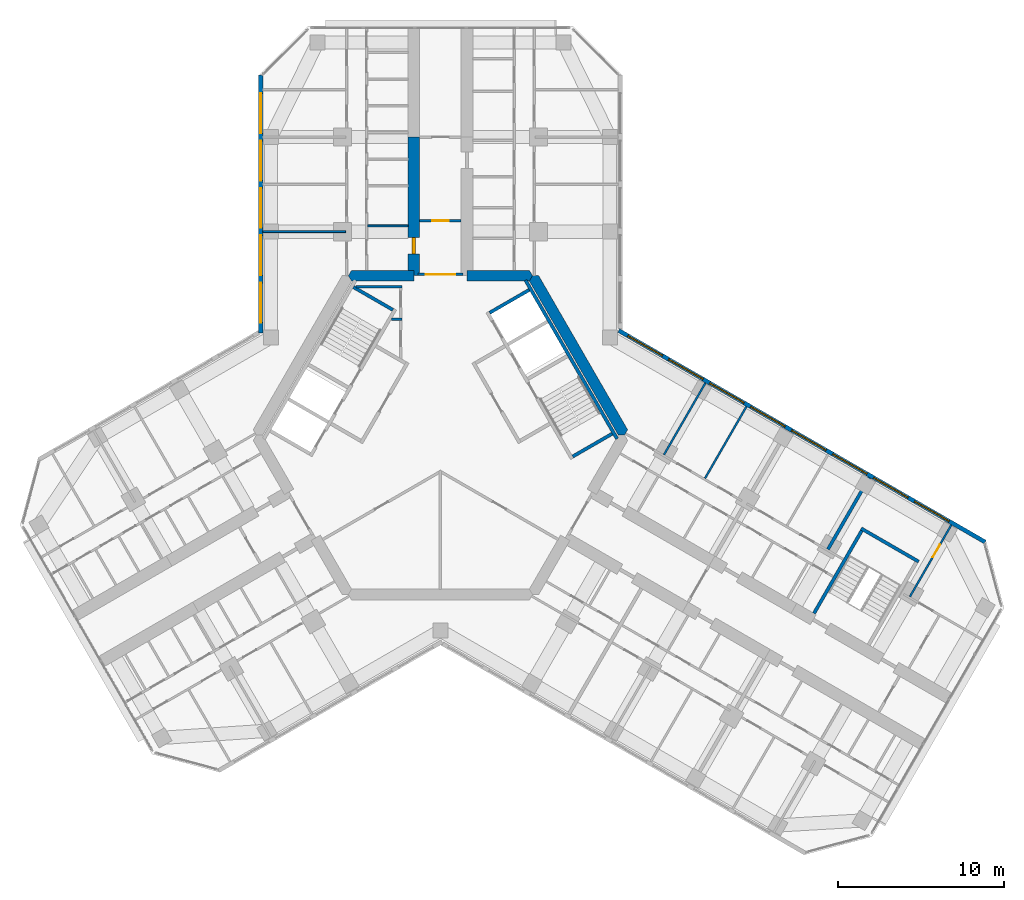
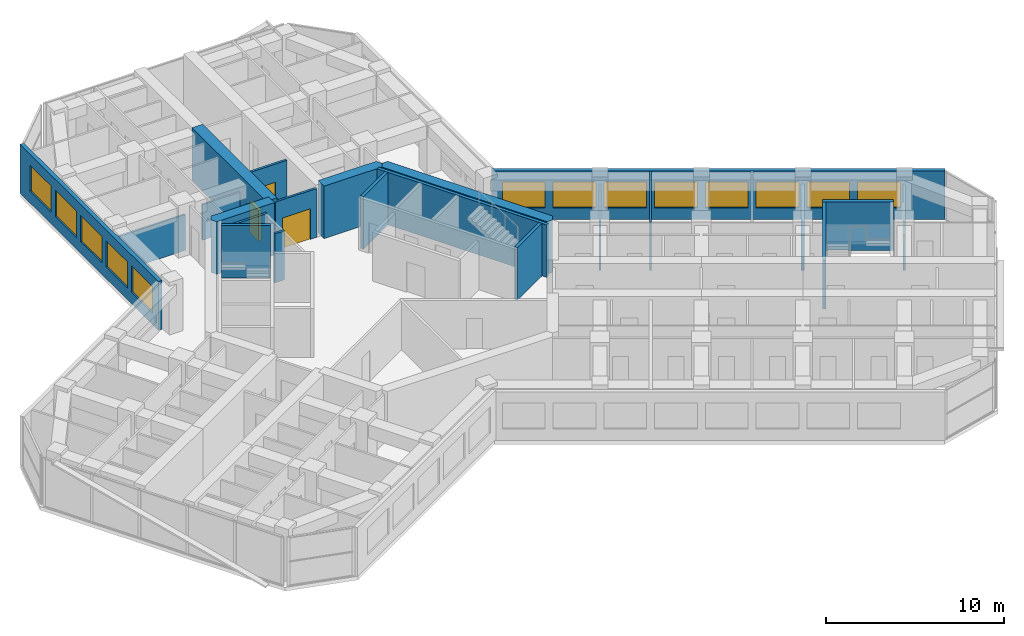
# One storey, part 13 of 16: 22 walls, 13 windows, 4 doors, 17 openings.
"""IFC4 building model written with IfcOpenShell, lengths in metres."""

from ifc_helpers import new_model, si_unit, direction, frame, frame_2d, origin, place, context, subcontext, project, spatial, polyline, rectangle, outline, extrude, material, layer, layer_set, type_object, element, fill, save


model = new_model("IFC4")

# Units and contexts
model_context = context("Model", 3, precision=1e-05, world=origin(), true_north=direction((0.0, 1.0)))
body_context = subcontext(model_context, "Body", "Model", "MODEL_VIEW")
ifc_project = project(units=[si_unit("LENGTHUNIT", "METRE"), si_unit("AREAUNIT", "SQUARE_METRE"), si_unit("VOLUMEUNIT", "CUBIC_METRE"), si_unit("PLANEANGLEUNIT", "RADIAN"), si_unit("MASSUNIT", "GRAM", prefix="KILO")], contexts=[model_context])

# Site, building, storey
site_placement = place(None, origin())
site = spatial("IfcSite", under=ifc_project, at=site_placement, CompositionType="ELEMENT")
building_placement = place(site_placement, origin())
building = spatial("IfcBuilding", under=site, at=building_placement, Name="Kosmar Iwan School Tower", CompositionType="ELEMENT")
storey_placement = place(building_placement, frame((0.0, 0.0, 219.0)))
storey = spatial("IfcBuildingStorey", under=building, at=storey_placement, Name="L55", CompositionType="ELEMENT", Elevation=219.0)

# Walls
ifc_material_1 = material(Name="Gypsum board on steel studs, fire-rated", Category="steel")
ifc_layer_1 = layer(ifc_material_1, 0.14990234375)
ifc_layer_set_1 = layer_set([ifc_layer_1], Name="Core room partition 150")
wall_type_1 = type_object("IfcWallType", Name="Core room partition 150", PredefinedType="PARTITIONING", material=ifc_layer_set_1)
wall_1_placement = place(storey_placement, frame((-2.324951171875, 6.985107421875, 0.0), z_axis=(0.0, 0.0, 1.0), x_axis=(-1.0, 0.0, 0.0)))
element("IfcWall", 1, at=wall_1_placement, inside=storey, type_object=wall_type_1, Name="Core room partition L55-CW2", PredefinedType="PARTITIONING", context=body_context, shape_type="SweptSolid", body=[
    extrude(rectangle(XDim=0.623779296875, YDim=0.14990234375, at=frame_2d((0.31201171875, 0.0))), origin(), (0.0, 0.0, 1.0), 3.35009765625),
])
wall_2_placement = place(storey_placement, frame((-5.089599609375, 8.93994140625, 0.0), z_axis=(0.0, 0.0, 1.0), x_axis=(1.0, 0.0, 0.0)))
element("IfcWall", 2, at=wall_2_placement, inside=storey, type_object=wall_type_1, Name="Core room partition L55-CW3", PredefinedType="PARTITIONING", context=body_context, shape_type="SweptSolid", body=[
    extrude(rectangle(XDim=2.7646484375, YDim=0.14990234375, at=frame_2d((1.38232421875, 0.0))), origin(), (0.0, 0.0, 1.0), 3.35009765625),
])
ifc_material_2 = material(Name="Concrete C50/60", Category="concrete")
ifc_layer_2 = layer(ifc_material_2, 0.64990234375)
ifc_layer_set_2 = layer_set([ifc_layer_2], Name="Core wall 650")
wall_type_2 = type_object("IfcWallType", Name="Core wall 650", PredefinedType="SHEAR", material=ifc_layer_set_2)
wall_3_placement = place(storey_placement, origin())
element("IfcWall", 3, at=wall_3_placement, inside=storey, type_object=wall_type_2, Name="Core wall F030", PredefinedType="SHEAR", context=body_context, shape_type="SweptSolid", body=[
    extrude(outline(polyline([(10.7099609375, 0.0), (11.085205078125, 0.0), (11.272705078125, 0.324951171875), (5.917724609375, 9.60009765625), (5.54248046875, 9.60009765625), (5.35498046875, 9.27490234375), (10.7099609375, 0.0)])), origin(), (0.0, 0.0, 1.0), 3.60009765625),
])
wall_4_placement = place(storey_placement, origin())
element("IfcWall", 4, at=wall_4_placement, inside=storey, type_object=wall_type_2, Name="Core wall F090a", PredefinedType="SHEAR", context=body_context, shape_type="SweptSolid", body=[
    extrude(outline(polyline([(1.60009765625, 9.27490234375), (5.35498046875, 9.27490234375), (5.54248046875, 9.60009765625), (5.35498046875, 9.925048828125), (1.60009765625, 9.925048828125), (1.60009765625, 9.27490234375)])), origin(), (0.0, 0.0, 1.0), 3.60009765625),
])
wall_5_placement = place(storey_placement, origin())
element("IfcWall", 5, at=wall_5_placement, inside=storey, type_object=wall_type_2, Name="Core wall F090b", PredefinedType="SHEAR", context=body_context, shape_type="SweptSolid", body=[
    extrude(outline(polyline([(-5.35498046875, 9.27490234375), (-1.60009765625, 9.27490234375), (-1.60009765625, 9.925048828125), (-5.35498046875, 9.925048828125), (-5.54248046875, 9.60009765625), (-5.35498046875, 9.27490234375)])), origin(), (0.0, 0.0, 1.0), 3.60009765625),
])

# Wall, opening, door
ifc_material_3 = material(Name="Concrete C50/60", Category="concrete")
ifc_layer_3 = layer(ifc_material_3, 0.699951171875)
ifc_layer_set_3 = layer_set([ifc_layer_3], Name="Corridor buttress wall 700")
wall_type_3 = type_object("IfcWallType", Name="Corridor buttress wall 700", PredefinedType="SHEAR", material=ifc_layer_set_3)
wall_6_placement = place(storey_placement, frame((-1.60009765625, 9.60009765625, 0.0), z_axis=(0.0, 0.0, 1.0), x_axis=(0.0, 1.0, 0.0)))
wall_6 = element("IfcWall", 6, at=wall_6_placement, inside=storey, type_object=wall_type_3, Name="Corridor wall AL", PredefinedType="SHEAR", context=body_context, shape_type="SweptSolid", body=[
    extrude(rectangle(XDim=8.349853515625, YDim=0.699951171875, at=frame_2d((4.1748046875, 0.0))), origin(), (0.0, 0.0, 1.0), 3.60009765625),
])
opening_1_placement = place(wall_6_placement, frame((1.300048828125, 0.0, 0.0)))
opening_1 = element("IfcOpeningElement", 7, at=opening_1_placement, cuts=wall_6, Name="Opening D1", PredefinedType="OPENING", context=body_context, shape_type="SweptSolid", body=[
    extrude(rectangle(XDim=1.0, YDim=2.10009765625, at=frame_2d((0.5, 1.050048828125))), frame((0.0, 0.362060546875, 0.0), z_axis=(0.0, -1.0, 0.0), x_axis=(1.0, 0.0, 0.0)), (0.0, 0.0, 1.0), 0.723876953125),
])
ifc_material_4 = material(Name="Timber fire door in steel frame", Category="steel")
door_type_1 = type_object("IfcDoorType", Name="Flat entrance door 1000x2100", OperationType="SINGLE_SWING_LEFT", PredefinedType="DOOR", material=ifc_material_4)
door_1_placement = place(opening_1_placement, origin())
door_1 = element("IfcDoor", 8, at=door_1_placement, inside=storey, type_object=door_type_1, Name="Flat L55-AL1 entrance door", OperationType="SINGLE_SWING_RIGHT", OverallHeight=2.10009765625, OverallWidth=1.0, PredefinedType="DOOR", context=body_context, shape_type="SweptSolid", body=[
    extrude(rectangle(XDim=1.0, YDim=2.10009765625, at=frame_2d((0.5, 1.050048828125))), frame((0.0, 0.10009765625, 0.0), z_axis=(0.0, -1.0, 0.0), x_axis=(1.0, 0.0, 0.0)), (0.0, 0.0, 1.0), 0.199951171875),
])
fill(opening_1, door_1)

ifc_material_5 = material(Name="Gypsum board on steel studs, fire-rated", Category="steel")
ifc_layer_4 = layer(ifc_material_5, 0.14990234375)
ifc_layer_set_4 = layer_set([ifc_layer_4], Name="Corridor end wall 150")
wall_type_4 = type_object("IfcWallType", Name="Corridor end wall 150", PredefinedType="PARTITIONING", material=ifc_layer_set_4)
wall_7_placement = place(storey_placement, frame((1.25, 12.89990234375, 0.0), z_axis=(0.0, 0.0, 1.0), x_axis=(-1.0, 0.0, 0.0)))
wall_7 = element("IfcWall", 9, at=wall_7_placement, inside=storey, type_object=wall_type_4, Name="Partition L55-A-HW", PredefinedType="PARTITIONING", context=body_context, shape_type="SweptSolid", body=[
    extrude(rectangle(XDim=2.5, YDim=0.14990234375, at=frame_2d((1.25, 0.0))), origin(), (0.0, 0.0, 1.0), 3.35009765625),
])
opening_2_placement = place(wall_7_placement, frame((0.75, 0.0, 0.0)))
opening_2 = element("IfcOpeningElement", 10, at=opening_2_placement, cuts=wall_7, Name="Opening D13", PredefinedType="OPENING", context=body_context, shape_type="SweptSolid", body=[
    extrude(rectangle(XDim=1.0, YDim=2.10009765625, at=frame_2d((0.5, 1.050048828125))), frame((0.0, 0.0869140625, 0.0), z_axis=(0.0, -1.0, 0.0), x_axis=(1.0, 0.0, 0.0)), (0.0, 0.0, 1.0), 0.173828125),
])
ifc_material_6 = material(Name="Timber fire door with vision panel", Category="wood")
door_type_2 = type_object("IfcDoorType", Name="Corridor end door 1000x2100", OperationType="SINGLE_SWING_LEFT", PredefinedType="DOOR", material=ifc_material_6)
door_2_placement = place(opening_2_placement, origin())
door_2 = element("IfcDoor", 11, at=door_2_placement, inside=storey, type_object=door_type_2, Name="Entrance door L55-A", OperationType="SINGLE_SWING_RIGHT", OverallHeight=2.10009765625, OverallWidth=1.0, PredefinedType="DOOR", context=body_context, shape_type="SweptSolid", body=[
    extrude(rectangle(XDim=1.0, YDim=2.10009765625, at=frame_2d((0.5, 1.050048828125))), frame((0.0, 0.02490234375, 0.0), z_axis=(0.0, -1.0, 0.0), x_axis=(1.0, 0.0, 0.0)), (0.0, 0.0, 1.0), 0.050048828125),
])
fill(opening_2, door_2)

ifc_material_7 = material(Name="Steel framed glazed screen", Category="steel")
ifc_layer_5 = layer(ifc_material_7, 0.14990234375)
ifc_layer_set_5 = layer_set([ifc_layer_5], Name="Corridor screen wall 150")
wall_type_5 = type_object("IfcWallType", Name="Corridor screen wall 150", PredefinedType="PARTITIONING", material=ifc_layer_set_5)
wall_8_placement = place(storey_placement, frame((1.35009765625, 9.675048828125, 0.0), z_axis=(0.0, 0.0, 1.0), x_axis=(-1.0, 0.0, 0.0)))
wall_8 = element("IfcWall", 12, at=wall_8_placement, inside=storey, type_object=wall_type_5, Name="Corridor screen A L55", PredefinedType="PARTITIONING", context=body_context, shape_type="SweptSolid", body=[
    extrude(rectangle(XDim=2.7001953125, YDim=0.14990234375, at=frame_2d((1.35009765625, 0.0))), origin(), (0.0, 0.0, 1.0), 3.35009765625),
])
opening_3_placement = place(wall_8_placement, frame((0.449951171875, 0.0, 0.0)))
opening_3 = element("IfcOpeningElement", 13, at=opening_3_placement, cuts=wall_8, Name="Opening D9", PredefinedType="OPENING", context=body_context, shape_type="SweptSolid", body=[
    extrude(rectangle(XDim=1.800048828125, YDim=2.10009765625, at=frame_2d((0.89990234375, 1.050048828125))), frame((0.0, 0.0869140625, 0.0), z_axis=(0.0, -1.0, 0.0), x_axis=(1.0, 0.0, 0.0)), (0.0, 0.0, 1.0), 0.173828125),
])
ifc_material_8 = material(Name="Steel framed glazed smoke door", Category="steel")
door_type_3 = type_object("IfcDoorType", Name="Corridor smoke door pair 1800x2100", OperationType="DOUBLE_DOOR_DOUBLE_SWING", PredefinedType="DOOR", material=ifc_material_8)
door_3_placement = place(opening_3_placement, origin())
door_3 = element("IfcDoor", 14, at=door_3_placement, inside=storey, type_object=door_type_3, Name="Corridor doors A L55", OperationType="DOUBLE_DOOR_DOUBLE_SWING", OverallHeight=2.10009765625, OverallWidth=1.800048828125, PredefinedType="DOOR", context=body_context, shape_type="SweptSolid", body=[
    extrude(rectangle(XDim=1.800048828125, YDim=2.10009765625, at=frame_2d((0.89990234375, 1.050048828125))), frame((0.0, 0.02490234375, 0.0), z_axis=(0.0, -1.0, 0.0), x_axis=(1.0, 0.0, 0.0)), (0.0, 0.0, 1.0), 0.050048828125),
])
fill(opening_3, door_3)

# Walls
ifc_material_9 = material(Name="Gypsum board on steel studs", Category="steel")
ifc_layer_6 = layer(ifc_material_9, 0.1201171875)
ifc_layer_set_6 = layer_set([ifc_layer_6], Name="Dwelling partition 120")
wall_type_6 = type_object("IfcWallType", Name="Dwelling partition 120", PredefinedType="PARTITIONING", material=ifc_layer_set_6)
wall_9_placement = place(storey_placement, frame((-5.7099609375, 12.25, 0.0), z_axis=(0.0, 0.0, 1.0), x_axis=(-1.0, 0.0, 0.0)))
element("IfcWall", 15, at=wall_9_placement, inside=storey, type_object=wall_type_6, Name="Partition L55-AL1-X1", PredefinedType="PARTITIONING", context=body_context, shape_type="SweptSolid", body=[
    extrude(rectangle(XDim=4.989990234375, YDim=0.1201171875, at=frame_2d((2.4951171875, 0.0))), origin(), (0.0, 0.0, 1.0), 2.449951171875),
])
wall_10_placement = place(storey_placement, frame((-1.949951171875, 12.60009765625, 0.0), z_axis=(0.0, 0.0, 1.0), x_axis=(-1.0, 0.0, 0.0)))
element("IfcWall", 16, at=wall_10_placement, inside=storey, type_object=wall_type_6, Name="Partition L55-AL1-Y1", PredefinedType="PARTITIONING", context=body_context, shape_type="SweptSolid", body=[
    extrude(rectangle(XDim=2.43994140625, YDim=0.1201171875, at=frame_2d((1.219970703125, 0.0))), origin(), (0.0, 0.0, 1.0), 2.449951171875),
])
wall_11_placement = place(storey_placement, frame((13.4638671875, -1.179931640625, 0.0), z_axis=(0.0, 0.0, 1.0), x_axis=(0.499975153383, 0.86603974851, 0.0)))
element("IfcWall", 17, at=wall_11_placement, inside=storey, type_object=wall_type_6, Name="Partition L55-CL1-X1", PredefinedType="PARTITIONING", context=body_context, shape_type="SweptSolid", body=[
    extrude(rectangle(XDim=4.989990234375, YDim=0.1201171875, at=frame_2d((2.4951171875, 0.0))), origin(), (0.0, 0.0, 1.0), 2.449951171875),
])
wall_12_placement = place(storey_placement, frame((15.931884765625, -2.60498046875, 0.0), z_axis=(0.0, 0.0, 1.0), x_axis=(0.500011847778, 0.866018563358, 0.0)))
element("IfcWall", 18, at=wall_12_placement, inside=storey, type_object=wall_type_6, Name="Partition L55-CL1-X2", PredefinedType="PARTITIONING", context=body_context, shape_type="SweptSolid", body=[
    extrude(rectangle(XDim=4.990234375, YDim=0.1201171875, at=frame_2d((2.4951171875, 0.0))), origin(), (0.0, 0.0, 1.0), 3.35009765625),
])

# Wall, opening, door
wall_13_placement = place(storey_placement, frame((28.27294921875, -9.72998046875, 0.0), z_axis=(0.0, 0.0, 1.0), x_axis=(0.499975153383, 0.86603974851, 0.0)))
wall_13 = element("IfcWall", 19, at=wall_13_placement, inside=storey, type_object=wall_type_6, Name="Partition L55-CL3-TX", PredefinedType="PARTITIONING", context=body_context, shape_type="SweptSolid", body=[
    extrude(rectangle(XDim=4.989990234375, YDim=0.1201171875, at=frame_2d((2.4951171875, 0.0))), origin(), (0.0, 0.0, 1.0), 2.449951171875),
])
opening_4_placement = place(wall_13_placement, frame((2.739990234375, 0.0, 0.0)))
opening_4 = element("IfcOpeningElement", 20, at=opening_4_placement, cuts=wall_13, Name="Opening D2", PredefinedType="OPENING", context=body_context, shape_type="SweptSolid", body=[
    extrude(rectangle(XDim=0.89990234375, YDim=2.10009765625, at=frame_2d((0.449951171875, 1.050048828125))), frame((0.0, 0.072021484375, 0.0), z_axis=(0.0, -1.0, 0.0), x_axis=(1.0, 0.0, 0.0)), (0.0, 0.0, 1.0), 0.14404296875),
])
ifc_material_10 = material(Name="Timber door in timber frame", Category="wood")
door_type_4 = type_object("IfcDoorType", Name="Internal door 900x2100", OperationType="SINGLE_SWING_LEFT", PredefinedType="DOOR", material=ifc_material_10)
door_4_placement = place(opening_4_placement, origin())
door_4 = element("IfcDoor", 21, at=door_4_placement, inside=storey, type_object=door_type_4, Name="Bedroom 1 door L55-CL3-T1", OperationType="SINGLE_SWING_RIGHT", OverallHeight=2.10009765625, OverallWidth=0.89990234375, PredefinedType="DOOR", context=body_context, shape_type="SweptSolid", body=[
    extrude(rectangle(XDim=0.89990234375, YDim=2.10009765625, at=frame_2d((0.449951171875, 1.050048828125))), frame((0.0, 0.02490234375, 0.0), z_axis=(0.0, -1.0, 0.0), x_axis=(1.0, 0.0, 0.0)), (0.0, 0.0, 1.0), 0.050048828125),
])
fill(opening_4, door_4)

# Walls
ifc_material_11 = material(Name="Concrete C35/45", Category="concrete")
ifc_layer_7 = layer(ifc_material_11, 0.199951171875)
ifc_layer_set_7 = layer_set([ifc_layer_7], Name="Escape stair wall 200")
wall_type_7 = type_object("IfcWallType", Name="Escape stair wall 200", PredefinedType="SHEAR", material=ifc_layer_set_7)
wall_14_placement = place(storey_placement, frame((22.49560546875, -10.736328125, 0.0), z_axis=(0.0, 0.0, 1.0), x_axis=(0.500013701029, 0.866017493347, 0.0)))
element("IfcWall", 22, at=wall_14_placement, inside=storey, type_object=wall_type_7, Name="Stair WS3 wall", PredefinedType="SHEAR", context=body_context, shape_type="SweptSolid", body=[
    extrude(rectangle(XDim=5.949951171875, YDim=0.199951171875, at=frame_2d((2.97509765625, 0.0))), origin(), (0.0, 0.0, 1.0), 3.330078125),
])
wall_15_placement = place(storey_placement, frame((25.334228515625, -5.6201171875, 0.0), z_axis=(0.0, 0.0, 1.0), x_axis=(0.866026010844, -0.49999894854, 0.0)))
element("IfcWall", 23, at=wall_15_placement, inside=storey, type_object=wall_type_7, Name="Stair WS3 wall", PredefinedType="SHEAR", context=body_context, shape_type="SweptSolid", body=[
    extrude(rectangle(XDim=4.0, YDim=0.199951171875, at=frame_2d((2.0, 0.0))), origin(), (0.0, 0.0, 1.0), 3.330078125),
])

# Wall, openings, windows
ifc_material_12 = material(Name="Black aluminium rainscreen on insulated framing", Category="aluminium")
ifc_layer_8 = layer(ifc_material_12, 0.25)
ifc_layer_set_8 = layer_set([ifc_layer_8], Name="External wall rainscreen 250")
wall_type_8 = type_object("IfcWallType", Name="External wall rainscreen 250", PredefinedType="SOLIDWALL", material=ifc_layer_set_8)
wall_16_placement = place(storey_placement, frame((10.73681640625, 6.30078125, 0.0), z_axis=(0.0, 0.0, 1.0), x_axis=(0.866026390279, -0.499998291337, 0.0)))
wall_16 = element("IfcWall", 24, at=wall_16_placement, inside=storey, type_object=wall_type_8, Name="External wall CL L55", PredefinedType="SOLIDWALL", context=body_context, shape_type="SweptSolid", body=[
    extrude(rectangle(XDim=25.4873046875, YDim=0.25, at=frame_2d((12.74365234375, 0.0))), origin(), (0.0, 0.0, 1.0), 3.35009765625),
])
opening_5_placement = place(wall_16_placement, frame((0.626953125, 0.0, 0.800048828125)))
opening_5 = element("IfcOpeningElement", 25, at=opening_5_placement, cuts=wall_16, Name="Opening W5", PredefinedType="OPENING", context=body_context, shape_type="SweptSolid", body=[
    extrude(rectangle(XDim=2.39990234375, YDim=1.800048828125, at=frame_2d((1.199951171875, 0.89990234375))), frame((0.0, 0.136962890625, 0.0), z_axis=(0.0, -1.0, 0.0), x_axis=(1.0, 0.0, 0.0)), (0.0, 0.0, 1.0), 0.27392578125),
])
opening_6_placement = place(wall_16_placement, frame((3.47705078125, 0.0, 0.800048828125)))
opening_6 = element("IfcOpeningElement", 26, at=opening_6_placement, cuts=wall_16, Name="Opening W5", PredefinedType="OPENING", context=body_context, shape_type="SweptSolid", body=[
    extrude(rectangle(XDim=2.39990234375, YDim=1.800048828125, at=frame_2d((1.199951171875, 0.89990234375))), frame((0.0, 0.136962890625, 0.0), z_axis=(0.0, -1.0, 0.0), x_axis=(1.0, 0.0, 0.0)), (0.0, 0.0, 1.0), 0.27392578125),
])
opening_7_placement = place(wall_16_placement, frame((6.326904296875, 0.0, 0.800048828125)))
opening_7 = element("IfcOpeningElement", 27, at=opening_7_placement, cuts=wall_16, Name="Opening W5", PredefinedType="OPENING", context=body_context, shape_type="SweptSolid", body=[
    extrude(rectangle(XDim=2.39990234375, YDim=1.800048828125, at=frame_2d((1.199951171875, 0.89990234375))), frame((0.0, 0.136962890625, 0.0), z_axis=(0.0, -1.0, 0.0), x_axis=(1.0, 0.0, 0.0)), (0.0, 0.0, 1.0), 0.27392578125),
])
opening_8_placement = place(wall_16_placement, frame((9.177001953125, 0.0, 0.800048828125)))
opening_8 = element("IfcOpeningElement", 28, at=opening_8_placement, cuts=wall_16, Name="Opening W5", PredefinedType="OPENING", context=body_context, shape_type="SweptSolid", body=[
    extrude(rectangle(XDim=2.39990234375, YDim=1.800048828125, at=frame_2d((1.199951171875, 0.89990234375))), frame((0.0, 0.136962890625, 0.0), z_axis=(0.0, -1.0, 0.0), x_axis=(1.0, 0.0, 0.0)), (0.0, 0.0, 1.0), 0.27392578125),
])
opening_9_placement = place(wall_16_placement, frame((12.027099609375, 0.0, 0.800048828125)))
opening_9 = element("IfcOpeningElement", 29, at=opening_9_placement, cuts=wall_16, Name="Opening W5", PredefinedType="OPENING", context=body_context, shape_type="SweptSolid", body=[
    extrude(rectangle(XDim=2.39990234375, YDim=1.800048828125, at=frame_2d((1.199951171875, 0.89990234375))), frame((0.0, 0.136962890625, 0.0), z_axis=(0.0, -1.0, 0.0), x_axis=(1.0, 0.0, 0.0)), (0.0, 0.0, 1.0), 0.27392578125),
])
opening_10_placement = place(wall_16_placement, frame((14.876953125, 0.0, 0.800048828125)))
opening_10 = element("IfcOpeningElement", 30, at=opening_10_placement, cuts=wall_16, Name="Opening W5", PredefinedType="OPENING", context=body_context, shape_type="SweptSolid", body=[
    extrude(rectangle(XDim=2.39990234375, YDim=1.800048828125, at=frame_2d((1.199951171875, 0.89990234375))), frame((0.0, 0.136962890625, 0.0), z_axis=(0.0, -1.0, 0.0), x_axis=(1.0, 0.0, 0.0)), (0.0, 0.0, 1.0), 0.27392578125),
])
opening_11_placement = place(wall_16_placement, frame((17.72705078125, 0.0, 0.800048828125)))
opening_11 = element("IfcOpeningElement", 31, at=opening_11_placement, cuts=wall_16, Name="Opening W5", PredefinedType="OPENING", context=body_context, shape_type="SweptSolid", body=[
    extrude(rectangle(XDim=2.39990234375, YDim=1.800048828125, at=frame_2d((1.199951171875, 0.89990234375))), frame((0.0, 0.136962890625, 0.0), z_axis=(0.0, -1.0, 0.0), x_axis=(1.0, 0.0, 0.0)), (0.0, 0.0, 1.0), 0.27392578125),
])
opening_12_placement = place(wall_16_placement, frame((20.576904296875, 0.0, 0.800048828125)))
opening_12 = element("IfcOpeningElement", 32, at=opening_12_placement, cuts=wall_16, Name="Opening W5", PredefinedType="OPENING", context=body_context, shape_type="SweptSolid", body=[
    extrude(rectangle(XDim=2.39990234375, YDim=1.800048828125, at=frame_2d((1.199951171875, 0.89990234375))), frame((0.0, 0.136962890625, 0.0), z_axis=(0.0, -1.0, 0.0), x_axis=(1.0, 0.0, 0.0)), (0.0, 0.0, 1.0), 0.27392578125),
])
ifc_material_13 = material(Name="Black aluminium frame with dark triple glazing", Category="aluminium")
window_type = type_object("IfcWindowType", Name="Window 2400x1800", PartitioningType="SINGLE_PANEL", PredefinedType="WINDOW", material=ifc_material_13)
window_1_placement = place(opening_5_placement, origin())
window_1 = element("IfcWindow", 33, at=window_1_placement, inside=storey, type_object=window_type, Name="Window CL L55 -1", OverallHeight=1.800048828125, OverallWidth=2.39990234375, PartitioningType="SINGLE_PANEL", PredefinedType="WINDOW", context=body_context, shape_type="SweptSolid", body=[
    extrude(rectangle(XDim=2.39990234375, YDim=1.800048828125, at=frame_2d((1.199951171875, 0.89990234375))), frame((0.0, 0.030029296875, 0.0), z_axis=(0.0, -1.0, 0.0), x_axis=(1.0, 0.0, 0.0)), (0.0, 0.0, 1.0), 0.06005859375),
])
fill(opening_5, window_1)
window_2_placement = place(opening_6_placement, origin())
window_2 = element("IfcWindow", 34, at=window_2_placement, inside=storey, type_object=window_type, Name="Window CL L55 0", OverallHeight=1.800048828125, OverallWidth=2.39990234375, PartitioningType="SINGLE_PANEL", PredefinedType="WINDOW", context=body_context, shape_type="SweptSolid", body=[
    extrude(rectangle(XDim=2.39990234375, YDim=1.800048828125, at=frame_2d((1.199951171875, 0.89990234375))), frame((0.0, 0.030029296875, 0.0), z_axis=(0.0, -1.0, 0.0), x_axis=(1.0, 0.0, 0.0)), (0.0, 0.0, 1.0), 0.06005859375),
])
fill(opening_6, window_2)
window_3_placement = place(opening_7_placement, origin())
window_3 = element("IfcWindow", 35, at=window_3_placement, inside=storey, type_object=window_type, Name="Window CL L55 1", OverallHeight=1.800048828125, OverallWidth=2.39990234375, PartitioningType="SINGLE_PANEL", PredefinedType="WINDOW", context=body_context, shape_type="SweptSolid", body=[
    extrude(rectangle(XDim=2.39990234375, YDim=1.800048828125, at=frame_2d((1.199951171875, 0.89990234375))), frame((0.0, 0.030029296875, 0.0), z_axis=(0.0, -1.0, 0.0), x_axis=(1.0, 0.0, 0.0)), (0.0, 0.0, 1.0), 0.06005859375),
])
fill(opening_7, window_3)
window_4_placement = place(opening_8_placement, origin())
window_4 = element("IfcWindow", 36, at=window_4_placement, inside=storey, type_object=window_type, Name="Window CL L55 2", OverallHeight=1.800048828125, OverallWidth=2.39990234375, PartitioningType="SINGLE_PANEL", PredefinedType="WINDOW", context=body_context, shape_type="SweptSolid", body=[
    extrude(rectangle(XDim=2.39990234375, YDim=1.800048828125, at=frame_2d((1.199951171875, 0.89990234375))), frame((0.0, 0.030029296875, 0.0), z_axis=(0.0, -1.0, 0.0), x_axis=(1.0, 0.0, 0.0)), (0.0, 0.0, 1.0), 0.06005859375),
])
fill(opening_8, window_4)
window_5_placement = place(opening_9_placement, origin())
window_5 = element("IfcWindow", 37, at=window_5_placement, inside=storey, type_object=window_type, Name="Window CL L55 3", OverallHeight=1.800048828125, OverallWidth=2.39990234375, PartitioningType="SINGLE_PANEL", PredefinedType="WINDOW", context=body_context, shape_type="SweptSolid", body=[
    extrude(rectangle(XDim=2.39990234375, YDim=1.800048828125, at=frame_2d((1.199951171875, 0.89990234375))), frame((0.0, 0.030029296875, 0.0), z_axis=(0.0, -1.0, 0.0), x_axis=(1.0, 0.0, 0.0)), (0.0, 0.0, 1.0), 0.06005859375),
])
fill(opening_9, window_5)
window_6_placement = place(opening_10_placement, origin())
window_6 = element("IfcWindow", 38, at=window_6_placement, inside=storey, type_object=window_type, Name="Window CL L55 4", OverallHeight=1.800048828125, OverallWidth=2.39990234375, PartitioningType="SINGLE_PANEL", PredefinedType="WINDOW", context=body_context, shape_type="SweptSolid", body=[
    extrude(rectangle(XDim=2.39990234375, YDim=1.800048828125, at=frame_2d((1.199951171875, 0.89990234375))), frame((0.0, 0.030029296875, 0.0), z_axis=(0.0, -1.0, 0.0), x_axis=(1.0, 0.0, 0.0)), (0.0, 0.0, 1.0), 0.06005859375),
])
fill(opening_10, window_6)
window_7_placement = place(opening_11_placement, origin())
window_7 = element("IfcWindow", 39, at=window_7_placement, inside=storey, type_object=window_type, Name="Window CL L55 5", OverallHeight=1.800048828125, OverallWidth=2.39990234375, PartitioningType="SINGLE_PANEL", PredefinedType="WINDOW", context=body_context, shape_type="SweptSolid", body=[
    extrude(rectangle(XDim=2.39990234375, YDim=1.800048828125, at=frame_2d((1.199951171875, 0.89990234375))), frame((0.0, 0.030029296875, 0.0), z_axis=(0.0, -1.0, 0.0), x_axis=(1.0, 0.0, 0.0)), (0.0, 0.0, 1.0), 0.06005859375),
])
fill(opening_11, window_7)
window_8_placement = place(opening_12_placement, origin())
window_8 = element("IfcWindow", 40, at=window_8_placement, inside=storey, type_object=window_type, Name="Window CL L55 6", OverallHeight=1.800048828125, OverallWidth=2.39990234375, PartitioningType="SINGLE_PANEL", PredefinedType="WINDOW", context=body_context, shape_type="SweptSolid", body=[
    extrude(rectangle(XDim=2.39990234375, YDim=1.800048828125, at=frame_2d((1.199951171875, 0.89990234375))), frame((0.0, 0.030029296875, 0.0), z_axis=(0.0, -1.0, 0.0), x_axis=(1.0, 0.0, 0.0)), (0.0, 0.0, 1.0), 0.06005859375),
])
fill(opening_12, window_8)

wall_17_placement = place(storey_placement, frame((-10.824951171875, 6.14794921875, 0.0), z_axis=(0.0, 0.0, 1.0), x_axis=(0.0, 1.0, 0.0)))
wall_17 = element("IfcWall", 41, at=wall_17_placement, inside=storey, type_object=wall_type_8, Name="External wall AL L55", PredefinedType="SOLIDWALL", context=body_context, shape_type="SweptSolid", body=[
    extrude(rectangle(XDim=15.537353515625, YDim=0.25, at=frame_2d((7.7685546875, 0.0))), origin(), (0.0, 0.0, 1.0), 3.35009765625),
])
opening_13_placement = place(wall_17_placement, frame((0.626953125, 0.0, 0.800048828125)))
opening_13 = element("IfcOpeningElement", 42, at=opening_13_placement, cuts=wall_17, Name="Opening W5", PredefinedType="OPENING", context=body_context, shape_type="SweptSolid", body=[
    extrude(rectangle(XDim=2.39990234375, YDim=1.800048828125, at=frame_2d((1.199951171875, 0.89990234375))), frame((0.0, 0.136962890625, 0.0), z_axis=(0.0, -1.0, 0.0), x_axis=(1.0, 0.0, 0.0)), (0.0, 0.0, 1.0), 0.27392578125),
])
opening_14_placement = place(wall_17_placement, frame((3.47705078125, 0.0, 0.800048828125)))
opening_14 = element("IfcOpeningElement", 43, at=opening_14_placement, cuts=wall_17, Name="Opening W5", PredefinedType="OPENING", context=body_context, shape_type="SweptSolid", body=[
    extrude(rectangle(XDim=2.39990234375, YDim=1.800048828125, at=frame_2d((1.199951171875, 0.89990234375))), frame((0.0, 0.136962890625, 0.0), z_axis=(0.0, -1.0, 0.0), x_axis=(1.0, 0.0, 0.0)), (0.0, 0.0, 1.0), 0.27392578125),
])
opening_15_placement = place(wall_17_placement, frame((6.326904296875, 0.0, 0.800048828125)))
opening_15 = element("IfcOpeningElement", 44, at=opening_15_placement, cuts=wall_17, Name="Opening W5", PredefinedType="OPENING", context=body_context, shape_type="SweptSolid", body=[
    extrude(rectangle(XDim=2.39990234375, YDim=1.800048828125, at=frame_2d((1.199951171875, 0.89990234375))), frame((0.0, 0.136962890625, 0.0), z_axis=(0.0, -1.0, 0.0), x_axis=(1.0, 0.0, 0.0)), (0.0, 0.0, 1.0), 0.27392578125),
])
opening_16_placement = place(wall_17_placement, frame((9.177001953125, 0.0, 0.800048828125)))
opening_16 = element("IfcOpeningElement", 45, at=opening_16_placement, cuts=wall_17, Name="Opening W5", PredefinedType="OPENING", context=body_context, shape_type="SweptSolid", body=[
    extrude(rectangle(XDim=2.39990234375, YDim=1.800048828125, at=frame_2d((1.199951171875, 0.89990234375))), frame((0.0, 0.136962890625, 0.0), z_axis=(0.0, -1.0, 0.0), x_axis=(1.0, 0.0, 0.0)), (0.0, 0.0, 1.0), 0.27392578125),
])
opening_17_placement = place(wall_17_placement, frame((12.027099609375, 0.0, 0.800048828125)))
opening_17 = element("IfcOpeningElement", 46, at=opening_17_placement, cuts=wall_17, Name="Opening W5", PredefinedType="OPENING", context=body_context, shape_type="SweptSolid", body=[
    extrude(rectangle(XDim=2.39990234375, YDim=1.800048828125, at=frame_2d((1.199951171875, 0.89990234375))), frame((0.0, 0.136962890625, 0.0), z_axis=(0.0, -1.0, 0.0), x_axis=(1.0, 0.0, 0.0)), (0.0, 0.0, 1.0), 0.27392578125),
])
window_9_placement = place(opening_13_placement, origin())
window_9 = element("IfcWindow", 47, at=window_9_placement, inside=storey, type_object=window_type, Name="Window AL L55 -1", OverallHeight=1.800048828125, OverallWidth=2.39990234375, PartitioningType="SINGLE_PANEL", PredefinedType="WINDOW", context=body_context, shape_type="SweptSolid", body=[
    extrude(rectangle(XDim=2.39990234375, YDim=1.800048828125, at=frame_2d((1.199951171875, 0.89990234375))), frame((0.0, 0.030029296875, 0.0), z_axis=(0.0, -1.0, 0.0), x_axis=(1.0, 0.0, 0.0)), (0.0, 0.0, 1.0), 0.06005859375),
])
fill(opening_13, window_9)
window_10_placement = place(opening_14_placement, origin())
window_10 = element("IfcWindow", 48, at=window_10_placement, inside=storey, type_object=window_type, Name="Window AL L55 0", OverallHeight=1.800048828125, OverallWidth=2.39990234375, PartitioningType="SINGLE_PANEL", PredefinedType="WINDOW", context=body_context, shape_type="SweptSolid", body=[
    extrude(rectangle(XDim=2.39990234375, YDim=1.800048828125, at=frame_2d((1.199951171875, 0.89990234375))), frame((0.0, 0.030029296875, 0.0), z_axis=(0.0, -1.0, 0.0), x_axis=(1.0, 0.0, 0.0)), (0.0, 0.0, 1.0), 0.06005859375),
])
fill(opening_14, window_10)
window_11_placement = place(opening_15_placement, origin())
window_11 = element("IfcWindow", 49, at=window_11_placement, inside=storey, type_object=window_type, Name="Window AL L55 1", OverallHeight=1.800048828125, OverallWidth=2.39990234375, PartitioningType="SINGLE_PANEL", PredefinedType="WINDOW", context=body_context, shape_type="SweptSolid", body=[
    extrude(rectangle(XDim=2.39990234375, YDim=1.800048828125, at=frame_2d((1.199951171875, 0.89990234375))), frame((0.0, 0.030029296875, 0.0), z_axis=(0.0, -1.0, 0.0), x_axis=(1.0, 0.0, 0.0)), (0.0, 0.0, 1.0), 0.06005859375),
])
fill(opening_15, window_11)
window_12_placement = place(opening_16_placement, origin())
window_12 = element("IfcWindow", 50, at=window_12_placement, inside=storey, type_object=window_type, Name="Window AL L55 2", OverallHeight=1.800048828125, OverallWidth=2.39990234375, PartitioningType="SINGLE_PANEL", PredefinedType="WINDOW", context=body_context, shape_type="SweptSolid", body=[
    extrude(rectangle(XDim=2.39990234375, YDim=1.800048828125, at=frame_2d((1.199951171875, 0.89990234375))), frame((0.0, 0.030029296875, 0.0), z_axis=(0.0, -1.0, 0.0), x_axis=(1.0, 0.0, 0.0)), (0.0, 0.0, 1.0), 0.06005859375),
])
fill(opening_16, window_12)
window_13_placement = place(opening_17_placement, origin())
window_13 = element("IfcWindow", 51, at=window_13_placement, inside=storey, type_object=window_type, Name="Window AL L55 3", OverallHeight=1.800048828125, OverallWidth=2.39990234375, PartitioningType="SINGLE_PANEL", PredefinedType="WINDOW", context=body_context, shape_type="SweptSolid", body=[
    extrude(rectangle(XDim=2.39990234375, YDim=1.800048828125, at=frame_2d((1.199951171875, 0.89990234375))), frame((0.0, 0.030029296875, 0.0), z_axis=(0.0, -1.0, 0.0), x_axis=(1.0, 0.0, 0.0)), (0.0, 0.0, 1.0), 0.06005859375),
])
fill(opening_17, window_13)

# Walls
ifc_material_14 = material(Name="Concrete C50/60", Category="concrete")
ifc_layer_9 = layer(ifc_material_14, 0.199951171875)
ifc_layer_set_9 = layer_set([ifc_layer_9], Name="Lift shaft wall 200")
wall_type_9 = type_object("IfcWallType", Name="Lift shaft wall 200", PredefinedType="SHEAR", material=ifc_layer_set_9)
wall_18_placement = place(storey_placement, frame((10.6376953125, -0.22509765625, 0.0), z_axis=(0.0, 0.0, 1.0), x_axis=(-0.49999650507, 0.866027421574, 0.0)))
element("IfcWall", 52, at=wall_18_placement, inside=storey, type_object=wall_type_9, Name="Lift and stair back wall AC", PredefinedType="SHEAR", context=body_context, shape_type="SweptSolid", body=[
    extrude(rectangle(XDim=11.02734375, YDim=0.199951171875, at=frame_2d((5.513671875, 0.0))), origin(), (0.0, 0.0, 1.0), 3.60009765625),
])
wall_19_placement = place(storey_placement, frame((2.962646484375, 7.368408203125, 0.0), z_axis=(0.0, 0.0, 1.0), x_axis=(0.866027397988, 0.499996545922, 0.0)))
element("IfcWall", 53, at=wall_19_placement, inside=storey, type_object=wall_type_9, Name="Lift shaft wall AC 2", PredefinedType="SHEAR", context=body_context, shape_type="SweptSolid", body=[
    extrude(rectangle(XDim=2.75, YDim=0.199951171875, at=frame_2d((1.375, 0.0))), origin(), (0.0, 0.0, 1.0), 3.60009765625),
])
ifc_material_15 = material(Name="Concrete block masonry", Category="masonry")
ifc_layer_10 = layer(ifc_material_15, 0.199951171875)
ifc_layer_set_10 = layer_set([ifc_layer_10], Name="Party wall 200")
wall_type_10 = type_object("IfcWallType", Name="Party wall 200", PredefinedType="PARTITIONING", material=ifc_layer_set_10)
wall_20_placement = place(storey_placement, frame((23.33642578125, -6.8798828125, 0.0), z_axis=(0.0, 0.0, 1.0), x_axis=(0.500033033937, 0.866006330792, 0.0)))
element("IfcWall", 54, at=wall_20_placement, inside=storey, type_object=wall_type_10, Name="Partition L55-CL3-TB", PredefinedType="PARTITIONING", context=body_context, shape_type="SweptSolid", body=[
    extrude(rectangle(XDim=4.989990234375, YDim=0.199951171875, at=frame_2d((2.4951171875, 0.0))), origin(), (0.0, 0.0, 1.0), 2.449951171875),
])
ifc_material_16 = material(Name="Concrete C50/60", Category="concrete")
ifc_layer_11 = layer(ifc_material_16, 0.199951171875)
ifc_layer_set_11 = layer_set([ifc_layer_11], Name="Stair enclosure wall 200")
wall_type_11 = type_object("IfcWallType", Name="Stair enclosure wall 200", PredefinedType="SHEAR", material=ifc_layer_set_11)
for number, where, z_axis, x_axis, name in (
    (55, (-2.862548828125, 7.541748046875, 0.0), (0.0, 0.0, 1.0), (-0.866027397988, 0.499996545922, 0.0), "Stair ST2 wall"),
    (56, (7.962646484375, -1.291748046875, 0.0), (0.0, 0.0, 1.0), (0.866027397988, 0.499996545922, 0.0), "Stair ST1 wall"),
):
    element("IfcWall", number, at=place(storey_placement, frame(where, z_axis=z_axis, x_axis=x_axis)), inside=storey, type_object=wall_type_11, Name=name, PredefinedType="SHEAR", context=body_context, shape_type="SweptSolid", body=[
        extrude(rectangle(XDim=2.75, YDim=0.199951171875, at=frame_2d((1.375, 0.0))), origin(), (0.0, 0.0, 1.0), 3.60009765625),
    ])

save(model, "model.ifc")
